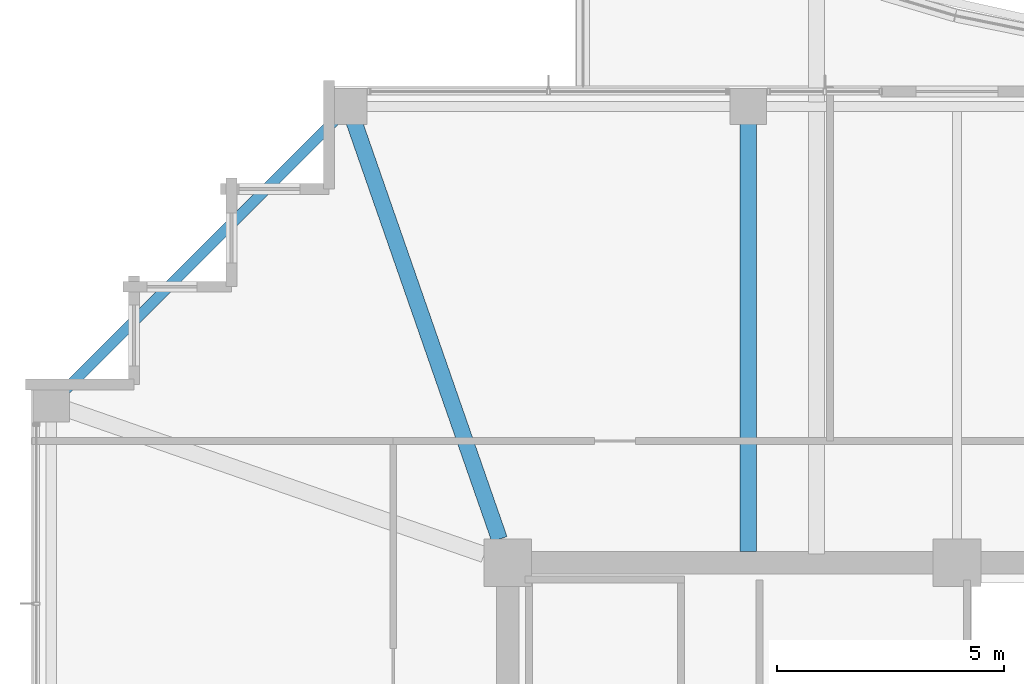
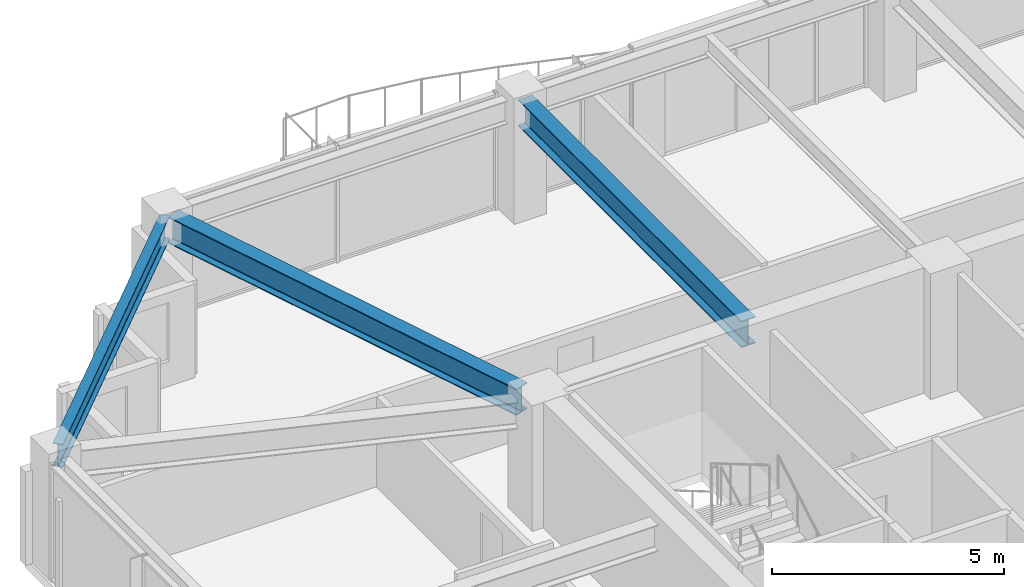
# One storey, part 15 of 36: 3 beams.
"""IFC4 building model written with IfcOpenShell, lengths in metres."""

from ifc_helpers import new_model, si_unit, direction, frame, origin, origin_2d, place, context, subcontext, project, spatial, i_section, extrude, material, material_profile, profile_set, type_object, element, save


model = new_model("IFC4")

# Units and contexts
model_context = context("Model", 3, precision=1e-05, world=origin(), true_north=direction((0.0, 1.0)))
body_context = subcontext(model_context, "Body", "Model", "MODEL_VIEW")
ifc_project = project(units=[si_unit("LENGTHUNIT", "METRE"), si_unit("AREAUNIT", "SQUARE_METRE"), si_unit("VOLUMEUNIT", "CUBIC_METRE"), si_unit("PLANEANGLEUNIT", "RADIAN"), si_unit("MASSUNIT", "GRAM", prefix="KILO")], contexts=[model_context])

# Site, building, storey
site_placement = place(None, origin())
site = spatial("IfcSite", under=ifc_project, at=site_placement, CompositionType="ELEMENT")
building_placement = place(site_placement, origin())
building = spatial("IfcBuilding", under=site, at=building_placement, Name="Kolvaren Belvedere", CompositionType="ELEMENT")
storey_placement = place(building_placement, frame((0.0, 0.0, 196.5)))
storey = spatial("IfcBuildingStorey", under=building, at=storey_placement, Name="L57", CompositionType="ELEMENT", Elevation=196.5)

# Beams
ifc_material_1 = material(Name="Structural steel ASTM A992 Grade 50", Category="steel")
ifc_material_profile_1 = material_profile(ifc_material_1, i_section(OverallWidth=0.35498046875, OverallDepth=0.696044921875, WebThickness=0.015380859375, FlangeThickness=0.02490234375, FilletRadius=0.02197265625, at=origin_2d()), Name="W27X146")
ifc_profile_set_1 = profile_set([ifc_material_profile_1], Name="Structural steel ASTM A992 Grade 50")
beam_type_1 = type_object("IfcBeamType", Name="BM-GIRD-W27X146", PredefinedType="BEAM", material=ifc_profile_set_1)
beam_1_placement = place(storey_placement, frame((-4.60009765625, 10.14990234375, 2.73193359375), z_axis=(0.0, 1.0, 0.0), x_axis=(-1.0, 0.0, 0.0)))
element("IfcBeam", 1, at=beam_1_placement, inside=storey, type_object=beam_type_1, Name="L57 North Radial Girder M", PredefinedType="BEAM", context=body_context, shape_type="SweptSolid", body=[
    extrude(i_section(OverallWidth=0.35498046875, OverallDepth=0.696044921875, WebThickness=0.015380859375, FlangeThickness=0.02490234375, FilletRadius=0.02197265625, at=origin_2d()), origin(), (0.0, 0.0, 1.0), 9.6201171875),
])
beam_2_placement = place(storey_placement, frame((-10.080810546875, 10.41943359375, 2.73193359375), z_axis=(-0.328898147971, 0.944365399758, 0.0), x_axis=(-0.944365399758, -0.328898147971, 0.0)))
element("IfcBeam", 2, at=beam_2_placement, inside=storey, type_object=beam_type_1, Name="L57 Corner Core-to-Perimeter Girder CC4-N1", PredefinedType="BEAM", context=body_context, shape_type="SweptSolid", body=[
    extrude(i_section(OverallWidth=0.35498046875, OverallDepth=0.696044921875, WebThickness=0.015380859375, FlangeThickness=0.02490234375, FilletRadius=0.02197265625, at=origin_2d()), origin(), (0.0, 0.0, 1.0), 9.931884765625),
])
ifc_material_2 = material(Name="Structural steel ASTM A992 Grade 50", Category="steel")
ifc_material_profile_2 = material_profile(ifc_material_2, i_section(OverallWidth=0.22900390625, OverallDepth=0.612060546875, WebThickness=0.011962890625, FlangeThickness=0.01953125, FilletRadius=0.01806640625, at=origin_2d()), Name="W24X84")
ifc_profile_set_2 = profile_set([ifc_material_profile_2], Name="Structural steel ASTM A992 Grade 50")
beam_type_2 = type_object("IfcBeamType", Name="BM-SPAN-W24X84", PredefinedType="SPANDREL", material=ifc_profile_set_2)
beam_3_placement = place(storey_placement, frame((-13.52734375, 19.82275390625, 2.77392578125), z_axis=(-0.707106781187, -0.707106781187, 0.0), x_axis=(0.707106781187, -0.707106781187, 0.0)))
element("IfcBeam", 3, at=beam_3_placement, inside=storey, type_object=beam_type_2, Name="L57 Perimeter Spandrel N1-W4", PredefinedType="SPANDREL", context=body_context, shape_type="SweptSolid", body=[
    extrude(i_section(OverallWidth=0.22900390625, OverallDepth=0.612060546875, WebThickness=0.011962890625, FlangeThickness=0.01953125, FilletRadius=0.01806640625, at=origin_2d()), origin(), (0.0, 0.0, 1.0), 8.903076171875),
])

save(model, "model.ifc")
